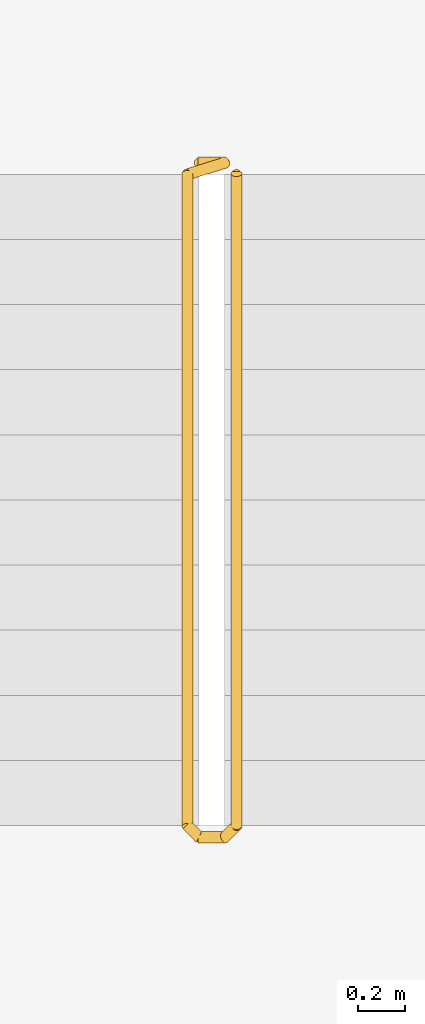
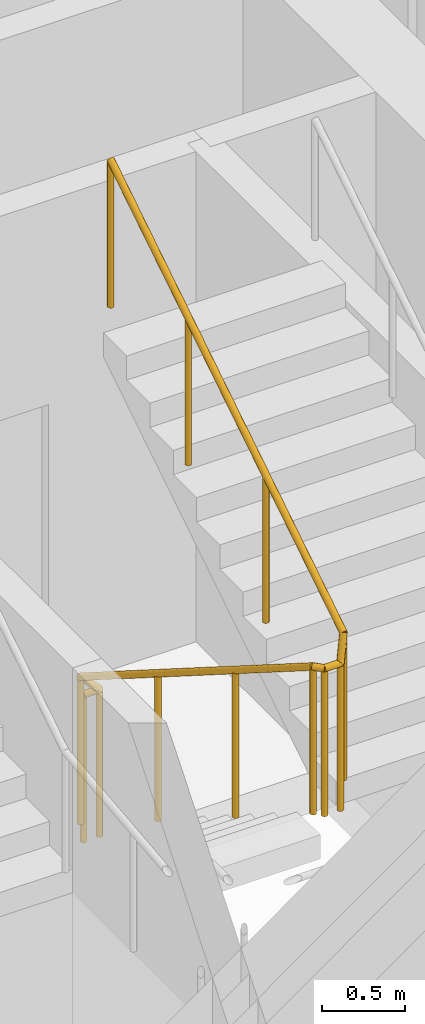
# One storey, part 14 of 14: 1 railing.
"""IFC4 building model written with IfcOpenShell, lengths in metres."""

from ifc_helpers import new_model, si_unit, direction, frame, origin, origin_2d, place, context, subcontext, project, spatial, circle, extrude, material, type_object, element, save


model = new_model("IFC4")

# Units and contexts
model_context = context("Model", 3, precision=1e-05, world=origin(), true_north=direction((0.0, 1.0)))
body_context = subcontext(model_context, "Body", "Model", "MODEL_VIEW")
ifc_project = project(units=[si_unit("LENGTHUNIT", "METRE"), si_unit("AREAUNIT", "SQUARE_METRE"), si_unit("VOLUMEUNIT", "CUBIC_METRE"), si_unit("PLANEANGLEUNIT", "RADIAN"), si_unit("MASSUNIT", "GRAM", prefix="KILO")], contexts=[model_context])

# Site, building, storey
site_placement = place(None, origin())
site = spatial("IfcSite", under=ifc_project, at=site_placement, CompositionType="ELEMENT")
building_placement = place(site_placement, origin())
building = spatial("IfcBuilding", under=site, at=building_placement, Name="Tessera Arch", CompositionType="ELEMENT")
storey_placement = place(building_placement, frame((0.0, 0.0, 138.800048828125)))
storey = spatial("IfcBuildingStorey", under=building, at=storey_placement, Name="L32", CompositionType="ELEMENT", Elevation=138.800048828125)

# Railing
ifc_material = material(Name="Painted steel balustrade", Category="steel")
railing_type = type_object("IfcRailingType", Name="Stair guard 1100", PredefinedType="GUARDRAIL", material=ifc_material)
railing_placement = place(storey_placement, frame((44.919921875, 43.6298828125, 0.0)))
element("IfcRailing", 1, at=railing_placement, inside=storey, type_object=railing_type, Name="L32 S1c stair guard 1", PredefinedType="GUARDRAIL", context=body_context, shape_type="SweptSolid", body=[
    extrude(circle(Radius=0.02392578125, at=origin_2d()), frame((-0.00390625, 0.0, 1.076171875), z_axis=(1.0, 0.0, 0.0), x_axis=(0.0, 1.0, 0.0)), (0.0, 0.0, 1.0), 0.1181640625),
    extrude(circle(Radius=0.02392578125, at=origin_2d()), frame((0.11279296875, 0.000732421875, 1.0732421875), z_axis=(-0.65574896516, -0.204233265485, 0.726830150696), x_axis=(0.297361876254, -0.954764847777, 0.0)), (0.0, 0.0, 1.0), 0.251953125),
    extrude(circle(Radius=0.02392578125, at=origin_2d()), frame((-0.0498046875, -0.04638671875, 1.251220703125), z_axis=(0.0, -0.844908973607, 0.534910110503), x_axis=(1.0, 0.0, 0.0)), (0.0, 0.0, 1.0), 3.322021484375),
    extrude(circle(Radius=0.02392578125, at=origin_2d()), frame((-0.052734375, -2.846923828125, 3.02587890625), z_axis=(0.705375805398, -0.708833529934, 0.0), x_axis=(0.708833529934, 0.705375805398, 0.0)), (0.0, 0.0, 1.0), 0.07861328125),
    extrude(circle(Radius=0.02392578125, at=origin_2d()), frame((-0.00390625, -2.89990234375, 3.02587890625), z_axis=(1.0, 0.0, 0.0), x_axis=(0.0, 1.0, 0.0)), (0.0, 0.0, 1.0), 0.1181640625),
    extrude(circle(Radius=0.02392578125, at=origin_2d()), frame((0.109130859375, -2.90087890625, 3.022216796875), z_axis=(0.262233686654, 0.262233686654, 0.928691007369), x_axis=(-0.707106781187, 0.707106781187, 0.0)), (0.0, 0.0, 1.0), 0.198974609375),
    extrude(circle(Radius=0.02392578125, at=origin_2d()), frame((0.16015625, -2.853271484375, 3.201171875), z_axis=(0.0, 0.844908973607, 0.534910110503), x_axis=(-1.0, 0.0, 0.0)), (0.0, 0.0, 1.0), 3.322021484375),
    extrude(circle(Radius=0.02099609375, at=origin_2d()), origin(), (0.0, 0.0, 1.0), 1.06396484375),
    extrude(circle(Radius=0.02099609375, at=origin_2d()), frame((0.110107421875, 0.0, 0.0)), (0.0, 0.0, 1.0), 1.06396484375),
    extrude(circle(Radius=0.02099609375, at=origin_2d()), frame((-0.0498046875, -0.0498046875, 0.17724609375)), (0.0, 0.0, 1.0), 1.06396484375),
    extrude(circle(Radius=0.02099609375, at=origin_2d()), frame((-0.0498046875, -0.983154296875, 0.76806640625)), (0.0, 0.0, 1.0), 1.06396484375),
    extrude(circle(Radius=0.02099609375, at=origin_2d()), frame((-0.0498046875, -1.91650390625, 1.359130859375)), (0.0, 0.0, 1.0), 1.06396484375),
    extrude(circle(Radius=0.02099609375, at=origin_2d()), frame((-0.0498046875, -2.849853515625, 1.949951171875)), (0.0, 0.0, 1.0), 1.06396484375),
    extrude(circle(Radius=0.02099609375, at=origin_2d()), frame((0.0, -2.89990234375, 1.949951171875)), (0.0, 0.0, 1.0), 1.06396484375),
    extrude(circle(Radius=0.02099609375, at=origin_2d()), frame((0.110107421875, -2.89990234375, 1.949951171875)), (0.0, 0.0, 1.0), 1.06396484375),
    extrude(circle(Radius=0.02099609375, at=origin_2d()), frame((0.16015625, -2.849853515625, 2.127197265625)), (0.0, 0.0, 1.0), 1.06396484375),
    extrude(circle(Radius=0.02099609375, at=origin_2d()), frame((0.16015625, -1.91650390625, 2.718017578125)), (0.0, 0.0, 1.0), 1.06396484375),
    extrude(circle(Radius=0.02099609375, at=origin_2d()), frame((0.16015625, -0.983154296875, 3.30908203125)), (0.0, 0.0, 1.0), 1.06396484375),
    extrude(circle(Radius=0.02099609375, at=origin_2d()), frame((0.16015625, -0.0498046875, 3.89990234375)), (0.0, 0.0, 1.0), 1.06396484375),
])

save(model, "model.ifc")
